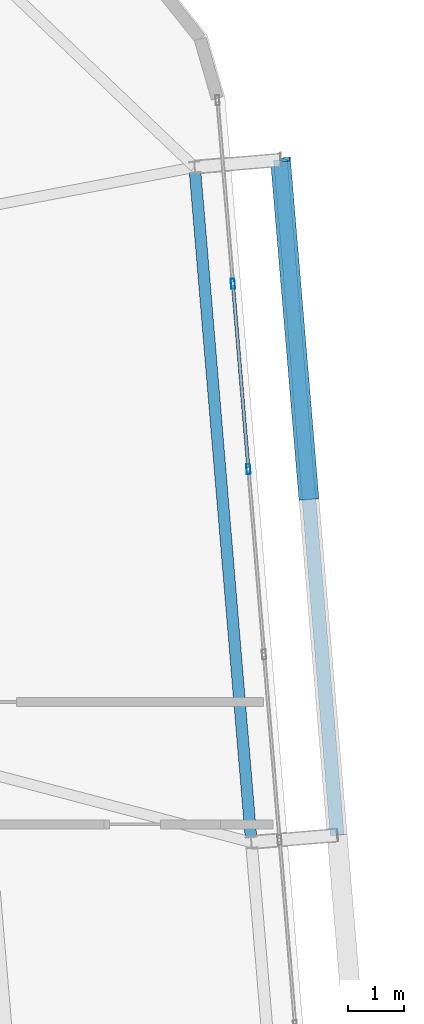
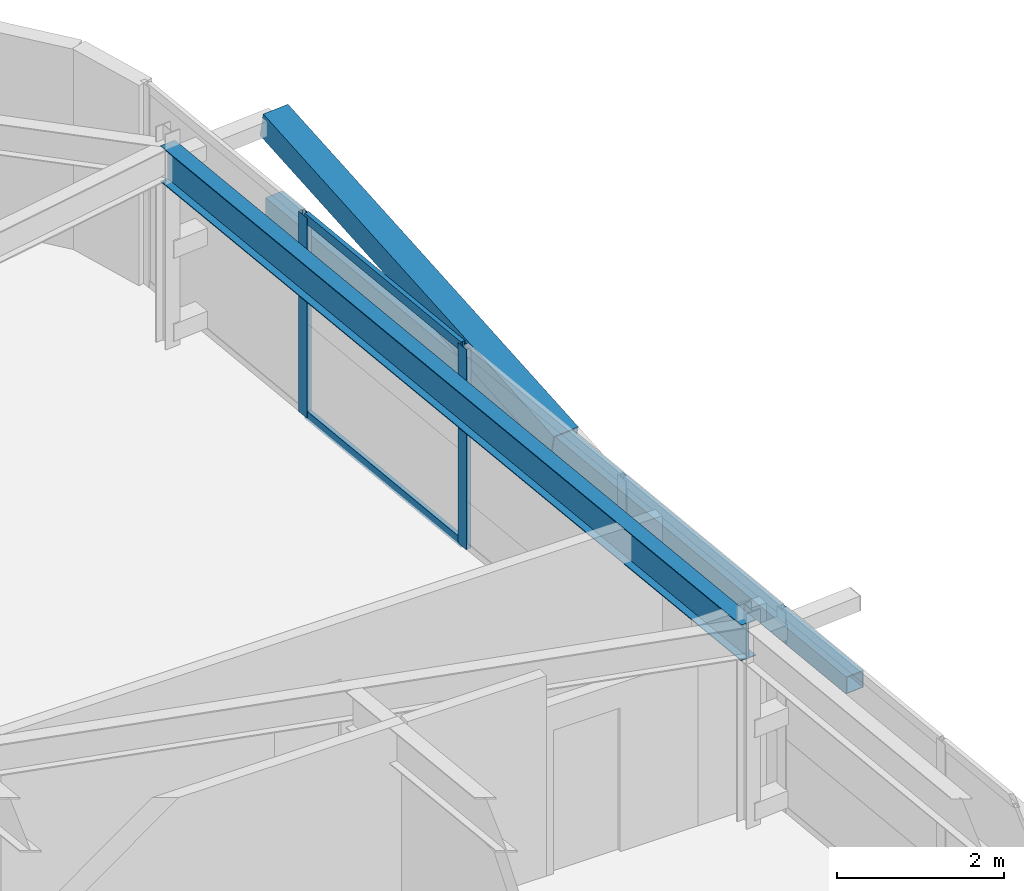
# One storey, part 26 of 46: 6 members, 1 beam, 1 element without a shape of its own.
"""IFC4 building model written with IfcOpenShell, lengths in metres."""

from ifc_helpers import new_model, si_unit, direction, frame, origin, origin_2d, place, context, subcontext, project, spatial, hollow_rectangle, i_section, extrude, source, transform, mapped, material, layer, layer_set, material_profile, profile_set, type_object, element, aggregate, save


model = new_model("IFC4")

# Units and contexts
model_context = context("Model", 3, precision=1e-05, world=origin(), true_north=direction((0.0, 1.0)))
body_context = subcontext(model_context, "Body", "Model", "MODEL_VIEW")
ifc_project = project(units=[si_unit("LENGTHUNIT", "METRE"), si_unit("AREAUNIT", "SQUARE_METRE"), si_unit("VOLUMEUNIT", "CUBIC_METRE"), si_unit("PLANEANGLEUNIT", "RADIAN"), si_unit("MASSUNIT", "GRAM", prefix="KILO")], contexts=[model_context])

# Site, building, storey
site_placement = place(None, origin())
site = spatial("IfcSite", under=ifc_project, at=site_placement, CompositionType="ELEMENT")
building_placement = place(site_placement, origin())
building = spatial("IfcBuilding", under=site, at=building_placement, Name="Taldren Reach Tower", CompositionType="ELEMENT")
storey_placement = place(building_placement, frame((0.0, 0.0, 194.60009765625)))
storey = spatial("IfcBuildingStorey", under=building, at=storey_placement, Name="L59", CompositionType="ELEMENT", Elevation=194.60009765625)

# Beam
ifc_material_1 = material(Name="Steel Gr 350 (350PLUS)", Category="steel")
ifc_material_profile_1 = material_profile(ifc_material_1, i_section(OverallWidth=0.208984375, OverallDepth=0.528076171875, WebThickness=0.009521484375, FlangeThickness=0.01318359375, at=origin_2d()), Name="530UB82.0")
ifc_profile_set_1 = profile_set([ifc_material_profile_1], Name="Steel Gr 350 (350PLUS)")
beam_type = type_object("IfcBeamType", Name="SP-UB530B", PredefinedType="SPANDREL", material=ifc_profile_set_1)
shared_shape_1 = source(origin(), body_context, "Body", "SweptSolid", [
    extrude(i_section(OverallWidth=0.208984375, OverallDepth=0.528076171875, WebThickness=0.009521484375, FlangeThickness=0.01318359375, at=origin_2d()), origin(), (0.0, 0.0, 1.0), 12.199951171875),
])
beam_placement = place(storey_placement, frame((60.6171875, 21.474853515625, 2.666015625), z_axis=(-0.083668166953, 0.99649367175, 0.0), x_axis=(-0.99649367175, -0.083668166953, 0.0)))
element("IfcBeam", 1, at=beam_placement, inside=storey, type_object=beam_type, Name="Perimeter spandrel B4 E2-E3 L59", PredefinedType="SPANDREL", context=body_context, shape_type="MappedRepresentation", body=[
    mapped(shared_shape_1, transform((0.0, 0.0, 0.0), scale=1.0)),
])

# Members
ifc_material_2 = material(Name="Steel Gr 350 (C350L0)", Category="steel")
ifc_material_profile_2 = material_profile(ifc_material_2, hollow_rectangle(XDim=0.25, YDim=0.25, WallThickness=0.010009765625, at=origin_2d()), Name="250x250x10.0SHS")
ifc_profile_set_2 = profile_set([ifc_material_profile_2], Name="Steel Gr 350 (C350L0)")
member_type_1 = type_object("IfcMemberType", Name="MB-POST250", PredefinedType="POST", material=ifc_profile_set_2)
shared_shape_2 = source(origin(), body_context, "Body", "SweptSolid", [
    extrude(hollow_rectangle(XDim=0.25, YDim=0.25, WallThickness=0.010009765625, at=origin_2d()), origin(), (0.0, 0.0, 1.0), 12.199951171875),
])
member_1_placement = place(storey_placement, frame((62.161865234375, 21.6044921875, 1.434814453125), z_axis=(-0.083688038336, 0.996492003099, 0.0), x_axis=(-0.996492003099, -0.083688038336, 0.0)))
element("IfcMember", 2, at=member_1_placement, inside=storey, type_object=member_type_1, Name="Exoskeleton mid-height ring chord B4-E2 L59", PredefinedType="POST", context=body_context, shape_type="MappedRepresentation", body=[
    mapped(shared_shape_2, transform((0.0, 0.0, 0.0), scale=1.0)),
])
ifc_material_3 = material(Name="Steel Gr 450 (C450L0)", Category="steel")
ifc_material_profile_3 = material_profile(ifc_material_3, hollow_rectangle(XDim=0.360107421875, YDim=0.360107421875, WallThickness=0.0126953125, at=origin_2d()), Name="360x360x12.7SHS")
ifc_profile_set_3 = profile_set([ifc_material_profile_3], Name="Steel Gr 450 (C450L0)")
member_type_2 = type_object("IfcMemberType", Name="MB-EXO356", PredefinedType="BRACE", material=ifc_profile_set_3)
shared_shape_3 = source(origin(), body_context, "Body", "SweptSolid", [
    extrude(hollow_rectangle(XDim=0.360107421875, YDim=0.360107421875, WallThickness=0.0126953125, at=origin_2d()), origin(), (0.0, 0.0, 1.0), 6.219970703125),
])
member_2_placement = place(storey_placement, frame((61.6513671875, 27.68310546875, 1.434814453125), z_axis=(-0.082075564879, 0.977291924611, 0.195356330179), x_axis=(-0.996492003099, -0.083688038336, 0.0)))
element("IfcMember", 3, at=member_2_placement, inside=storey, type_object=member_type_2, Name="Exoskeleton Diagrid Brace B4-E2 L59", PredefinedType="BRACE", context=body_context, shape_type="MappedRepresentation", body=[
    mapped(shared_shape_3, transform((0.0, 0.0, 0.0), scale=1.0)),
])

# Curtain wall, members
ifc_material_4 = material(Name="Aluminium and Low-E Glass Unitised System", Category="aluminium")
ifc_layer = layer(ifc_material_4, 0.159912109375)
ifc_layer_set = layer_set([ifc_layer], Name="Aluminium and Low-E Glass Unitised System")
curtain_wall_type = type_object("IfcCurtainWallType", Name="CW-SYS-5", PredefinedType="NOTDEFINED", material=ifc_layer_set)
curtain_wall_placement = place(storey_placement, origin())
curtain_wall = element("IfcCurtainWall", 4, at=curtain_wall_placement, inside=storey, type_object=curtain_wall_type, Name="Unitised curtain wall CW-L59-E", PredefinedType="NOTDEFINED")
ifc_material_5 = material(Name="Anodised Aluminium 6063-T6", Category="aluminium")
ifc_material_profile_4 = material_profile(ifc_material_5, hollow_rectangle(XDim=0.070068359375, YDim=0.179931640625, WallThickness=0.00390625, at=origin_2d()), Name="ALU-180x70x4RHS")
ifc_profile_set_4 = profile_set([ifc_material_profile_4], Name="Anodised Aluminium 6063-T6")
member_type_3 = type_object("IfcMemberType", Name="CW-MUL-180", PredefinedType="MULLION", material=ifc_profile_set_4)
shared_shape_4 = source(origin(), body_context, "Body", "SweptSolid", [
    extrude(hollow_rectangle(XDim=0.070068359375, YDim=0.179931640625, WallThickness=0.00390625, at=origin_2d()), origin(), (0.0, 0.0, 1.0), 2.929931640625),
])
member_3_placement = place(storey_placement, frame((60.564697265625, 28.194091796875, 0.0), z_axis=(0.0, 0.0, 1.0), x_axis=(-0.996492847789, -0.083677979808, 0.0)))
member_3 = element("IfcMember", 5, at=member_3_placement, type_object=member_type_3, Name="CW-5 mullion 7", PredefinedType="MULLION", context=body_context, shape_type="MappedRepresentation", body=[
    mapped(shared_shape_4, transform((0.0, 0.0, 0.0), scale=1.0)),
])
member_4_placement = place(storey_placement, frame((60.284423828125, 31.5322265625, 0.0), z_axis=(0.0, 0.0, 1.0), x_axis=(-0.996492847789, -0.083677979808, 0.0)))
member_4 = element("IfcMember", 6, at=member_4_placement, type_object=member_type_3, Name="CW-5 mullion 8", PredefinedType="MULLION", context=body_context, shape_type="MappedRepresentation", body=[
    mapped(shared_shape_4, transform((0.0, 0.0, 0.0), scale=1.0)),
])
ifc_material_profile_5 = material_profile(ifc_material_5, hollow_rectangle(XDim=0.06005859375, YDim=0.135009765625, WallThickness=0.00341796875, at=origin_2d()), Name="ALU-135x60x3.5RHS")
ifc_profile_set_5 = profile_set([ifc_material_profile_5], Name="Anodised Aluminium 6063-T6")
member_type_4 = type_object("IfcMemberType", Name="CW-TRN-150", PredefinedType="USERDEFINED", material=ifc_profile_set_5)
shared_shape_5 = source(origin(), body_context, "Body", "SweptSolid", [
    extrude(hollow_rectangle(XDim=0.06005859375, YDim=0.135009765625, WallThickness=0.00341796875, at=origin_2d()), origin(), (0.0, 0.0, 1.0), 3.280029296875),
])
member_5_placement = place(storey_placement, frame((60.561767578125, 28.228759765625, 0.02978515625), z_axis=(-0.083661452101, 0.996494235524, 0.0), x_axis=(-0.996494235524, -0.083661452101, 0.0)))
member_5 = element("IfcMember", 7, at=member_5_placement, type_object=member_type_4, Name="CW-5 transom 7.1", ObjectType="TRANSOM", PredefinedType="USERDEFINED", context=body_context, shape_type="MappedRepresentation", body=[
    mapped(shared_shape_5, transform((0.0, 0.0, 0.0), scale=1.0)),
])
member_6_placement = place(storey_placement, frame((60.561767578125, 28.228759765625, 2.89990234375), z_axis=(-0.083661452101, 0.996494235524, 0.0), x_axis=(-0.996494235524, -0.083661452101, 0.0)))
member_6 = element("IfcMember", 8, at=member_6_placement, type_object=member_type_4, Name="CW-5 transom 7.2", ObjectType="TRANSOM", PredefinedType="USERDEFINED", context=body_context, shape_type="MappedRepresentation", body=[
    mapped(shared_shape_5, transform((0.0, 0.0, 0.0), scale=1.0)),
])
aggregate(curtain_wall, [member_3, member_4, member_5, member_6])

save(model, "model.ifc")
